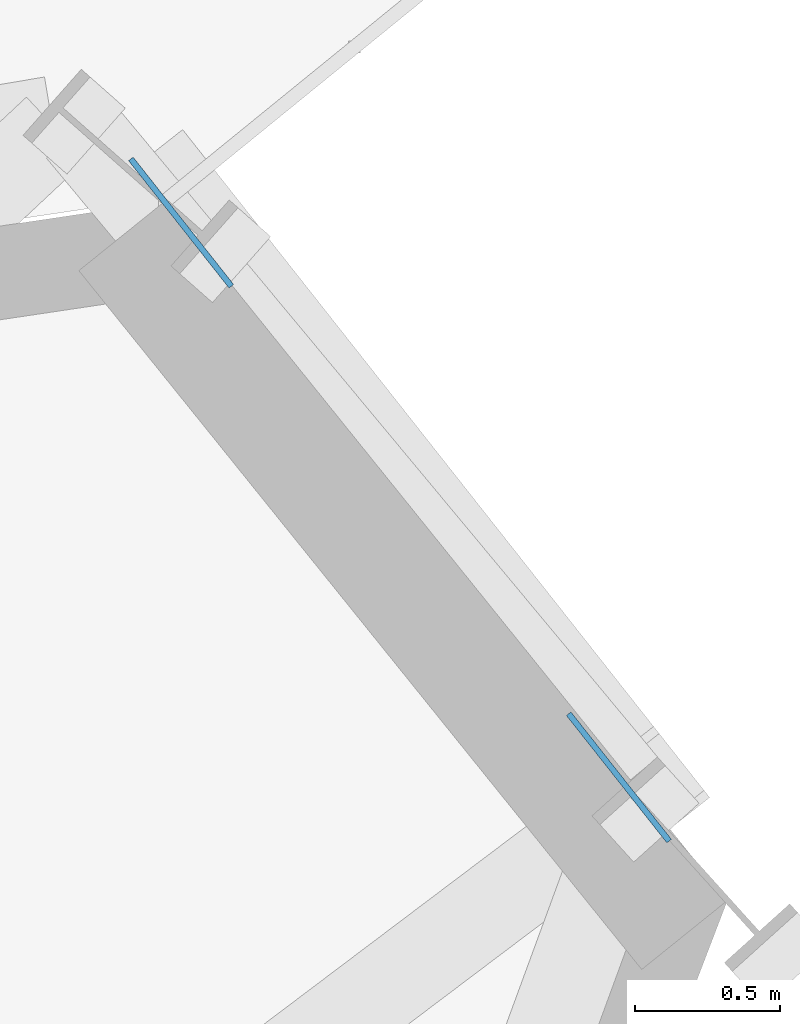
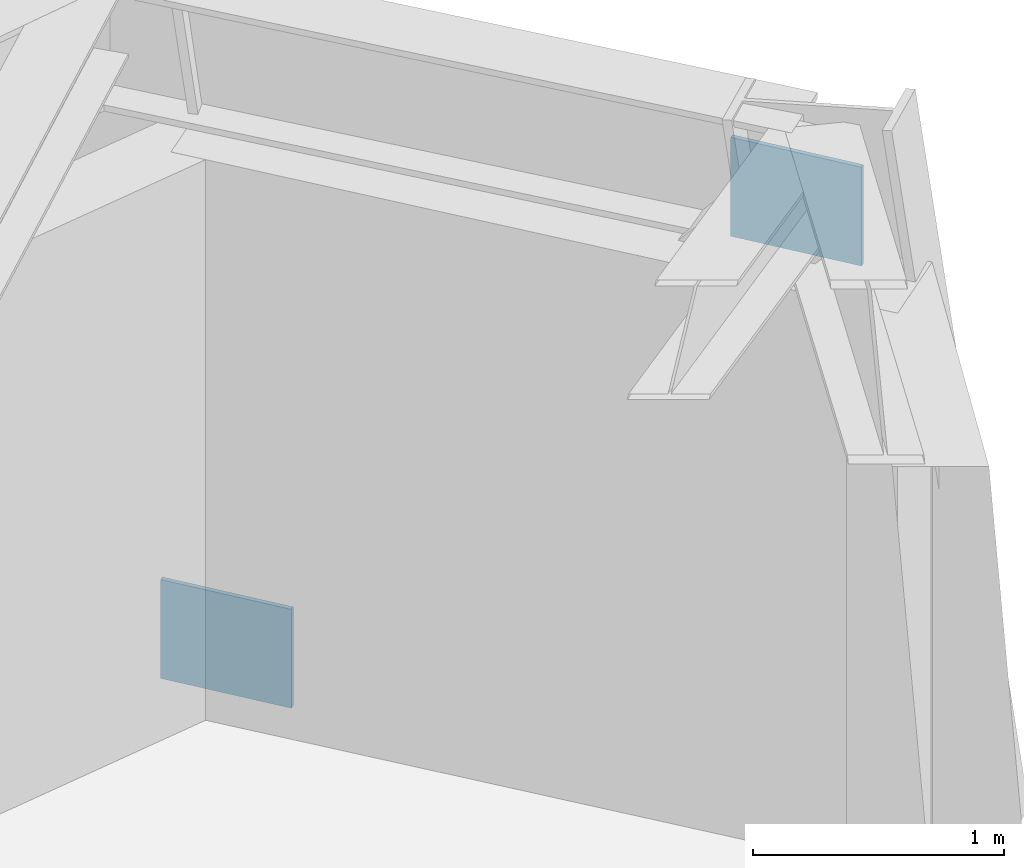
# One storey, part 7 of 13: 2 plates.
"""IFC4 building model written with IfcOpenShell, lengths in metres."""

import ifcopenshell
import ifcopenshell.guid

model = None  # the IFC model being written
_history = None  # IfcOwnerHistory: only IFC2X3 demands one
_inside = {}  # id of a spatial element -> (the spatial element, [elements in it])
_under = {}  # id of a project, library or spatial element -> (it, [spatial elements below it])
_declared = {}  # id of a project -> (the project, [libraries it declares])
_typed = {}  # id of a type object -> (the type object, [elements of that type])
_made_of = {}  # id of a material, layer set ... -> (it, [elements and type objects made of it])


def new_model(schema):
    """Start an empty IFC model of exactly this schema.

    Asked for "IFC4X3", IfcOpenShell would pick the latest addendum, in which some entities
    have other attributes; the version numbers below select the first issue.
    IFC2X3 requires an IfcOwnerHistory on every rooted entity: one is made here for all.
    """
    global model, _history
    if schema == "IFC4X3":
        model = ifcopenshell.file(schema_version=(4, 3, 0, 0))
    else:
        model = ifcopenshell.file(schema=schema)
    _inside.clear()
    _under.clear()
    _declared.clear()
    _typed.clear()
    _made_of.clear()
    _history = None
    if model.schema == "IFC2X3":
        org = make("IfcOrganization", Name="unknown")
        user = make(
            "IfcPersonAndOrganization",
            ThePerson=make("IfcPerson", FamilyName="unknown"),
            TheOrganization=org,
        )
        app = make(
            "IfcApplication",
            ApplicationDeveloper=org,
            Version="unknown",
            ApplicationFullName="unknown",
            ApplicationIdentifier="unknown",
        )
        _history = make(
            "IfcOwnerHistory",
            OwningUser=user,
            OwningApplication=app,
            ChangeAction="ADDED",
            CreationDate=0,
        )
    return model


def make(cls, **values):
    """One entity of the class cls with the attributes given. An attribute that is None is left unset."""
    return model.create_entity(
        cls, **{name: value for name, value in values.items() if value is not None}
    )


def rooted(cls, **values):
    """An entity with a GlobalId (a new one), such as an element, a storey or a relation."""
    return make(cls, GlobalId=ifcopenshell.guid.new(), OwnerHistory=_history, **values)


def si_unit(unit_type, name, prefix=None):
    """IfcSIUnit, for example si_unit("LENGTHUNIT", "METRE", prefix="MILLI")."""
    return make("IfcSIUnit", UnitType=unit_type, Prefix=prefix, Name=name)


def assignment(units):
    """IfcUnitAssignment: the units of a project."""
    return None if units is None else make("IfcUnitAssignment", Units=units)


def point(xyz):
    """IfcCartesianPoint."""
    return None if xyz is None else make("IfcCartesianPoint", Coordinates=xyz)


def direction(xyz):
    """IfcDirection."""
    return None if xyz is None else make("IfcDirection", DirectionRatios=xyz)


def frame(location, z_axis=None, x_axis=None):
    """IfcAxis2Placement3D, a coordinate frame: its origin and axes. An axis left out is left unset."""
    return make(
        "IfcAxis2Placement3D",
        Location=point(location),
        Axis=direction(z_axis),
        RefDirection=direction(x_axis),
    )


def frame_2d(location, x_axis=None):
    """IfcAxis2Placement2D, a coordinate frame in the plane: its origin and x axis."""
    return make(
        "IfcAxis2Placement2D", Location=point(location), RefDirection=direction(x_axis)
    )


def origin():
    """The frame at (0, 0, 0) with its axes left unset."""
    return frame((0.0, 0.0, 0.0))


def origin_2d():
    """The frame at (0, 0) in the plane with its x axis left unset."""
    return frame_2d((0.0, 0.0))


def place(relative_to, where):
    """IfcLocalPlacement: puts the frame where relative to a parent placement (None: the world)."""
    return make(
        "IfcLocalPlacement", PlacementRelTo=relative_to, RelativePlacement=where
    )


def context(
    kind, dimensions, precision=None, world=None, true_north=None, identifier=None
):
    """IfcGeometricRepresentationContext, for example the 3D "Model" context."""
    return make(
        "IfcGeometricRepresentationContext",
        ContextIdentifier=identifier,
        ContextType=kind,
        CoordinateSpaceDimension=dimensions,
        Precision=precision,
        WorldCoordinateSystem=world,
        TrueNorth=true_north,
    )


def subcontext(parent, identifier, kind, view, scale=None):
    """IfcGeometricRepresentationSubContext, for example "Body" below "Model"."""
    return make(
        "IfcGeometricRepresentationSubContext",
        ContextIdentifier=identifier,
        ContextType=kind,
        ParentContext=parent,
        TargetScale=scale,
        TargetView=view,
    )


def project(units=None, contexts=None):
    """IfcProject with its units and contexts."""
    return rooted(
        "IfcProject",
        Name="project",
        RepresentationContexts=contexts,
        UnitsInContext=assignment(units),
    )


def spatial(cls, under=None, at=None, **own):
    """A site, building, storey or space (cls), placed at a placement, below another one or the project."""
    s = rooted(cls, ObjectPlacement=at, **own)
    if under is not None:
        _under.setdefault(under.id(), (under, []))[1].append(s)
    return s


def profile(cls, at=None, kind="AREA", **sizes):
    """A parametric profile (cls). Its sizes go by their IFC names, for example OverallWidth=200.0."""
    return make(cls, ProfileType=kind, Position=at, **sizes)


def rectangle(**sizes):
    """IfcRectangleProfileDef."""
    return profile("IfcRectangleProfileDef", **sizes)


def extrude(swept, where, along, depth):
    """IfcExtrudedAreaSolid: the profile swept, set in the frame where, extruded along a direction by depth."""
    return make(
        "IfcExtrudedAreaSolid",
        SweptArea=swept,
        Position=where,
        ExtrudedDirection=direction(along),
        Depth=depth,
    )


def shape(context_of_items, identifier, shape_type, items):
    """IfcShapeRepresentation: the items that make up one representation, for example the "Body"."""
    return make(
        "IfcShapeRepresentation",
        ContextOfItems=context_of_items,
        RepresentationIdentifier=identifier,
        RepresentationType=shape_type,
        Items=items,
    )


def source(mapping_origin, context_of_items, identifier, shape_type, items):
    """IfcRepresentationMap: a shape defined once, which mapped items show again and again."""
    return make(
        "IfcRepresentationMap",
        MappingOrigin=mapping_origin,
        MappedRepresentation=shape(context_of_items, identifier, shape_type, items),
    )


def transform(
    local_origin,
    x_axis=None,
    y_axis=None,
    z_axis=None,
    scale=None,
    scale2=None,
    scale3=None,
    uniform=True,
):
    """IfcCartesianTransformationOperator3D, or its non-uniform kind. x_axis, y_axis, z_axis: its Axis1, 2, 3."""
    if uniform:
        return make(
            "IfcCartesianTransformationOperator3D",
            Axis1=direction(x_axis),
            Axis2=direction(y_axis),
            LocalOrigin=point(local_origin),
            Scale=scale,
            Axis3=direction(z_axis),
        )
    return make(
        "IfcCartesianTransformationOperator3DnonUniform",
        Axis1=direction(x_axis),
        Axis2=direction(y_axis),
        LocalOrigin=point(local_origin),
        Scale=scale,
        Axis3=direction(z_axis),
        Scale2=scale2,
        Scale3=scale3,
    )


def mapped(mapping_source, mapping_target):
    """IfcMappedItem: shows the shape of a source again, moved by a transform."""
    return make(
        "IfcMappedItem", MappingSource=mapping_source, MappingTarget=mapping_target
    )


def material(Name=None, Category=None):
    """IfcMaterial."""
    return make("IfcMaterial", Name=Name, Category=Category)


def made_of(thing, what):
    """Note that an element or type object is made of a material, layer set ...; save() writes the relation."""
    if what is not None:
        _made_of.setdefault(what.id(), (what, []))[1].append(thing)
    return thing


def type_object(cls, material=None, **own):
    """A type object (cls), such as IfcWallType, which elements share."""
    return made_of(rooted(cls, **own), material)


def element(
    cls,
    number,
    at=None,
    inside=None,
    cuts=None,
    type_object=None,
    material=None,
    context=None,
    identifier="Body",
    shape_type=None,
    held_by="IfcProductDefinitionShape",
    body=None,
    shapes=None,
    **own,
):
    """One element of the class cls, such as IfcWall. Its Tag is "e" and its number.

    at: its placement. inside: the storey or other place that contains it. cuts: it is an
    opening in that element (IfcRelVoidsElement). A single representation is given by context,
    identifier, shape_type and body (its items); several are given by shapes. held_by: the class
    of the entity that holds the representations. save() writes the other relations.
    """
    e = rooted(cls, Tag="e%d" % number, ObjectPlacement=at, **own)
    if body is not None:
        shapes = [shape(context, identifier, shape_type, body)]
    if shapes is not None:
        e.Representation = make(held_by, Representations=shapes)
    if inside is not None:
        _inside.setdefault(inside.id(), (inside, []))[1].append(e)
    if cuts is not None:
        rooted(
            "IfcRelVoidsElement", RelatingBuildingElement=cuts, RelatedOpeningElement=e
        )
    if type_object is not None:
        _typed.setdefault(type_object.id(), (type_object, []))[1].append(e)
    return made_of(e, material)


def aggregate(whole, parts):
    """IfcRelAggregates: a whole, such as a stair, and the parts it consists of."""
    return rooted("IfcRelAggregates", RelatingObject=whole, RelatedObjects=parts)


def save(model, path):
    """Write the relations noted so far, then the file.

    IfcRelAggregates (storeys below a building ...), IfcRelContainedInSpatialStructure (elements
    in a storey), IfcRelDefinesByType, IfcRelAssociatesMaterial and IfcRelDeclares: one each for
    every whole, place, type object, material and project.
    """
    for whole, parts in _under.values():
        aggregate(whole, parts)
    for where, things in _inside.values():
        rooted(
            "IfcRelContainedInSpatialStructure",
            RelatedElements=things,
            RelatingStructure=where,
        )
    for kind, things in _typed.values():
        rooted("IfcRelDefinesByType", RelatedObjects=things, RelatingType=kind)
    for what, things in _made_of.values():
        rooted("IfcRelAssociatesMaterial", RelatedObjects=things, RelatingMaterial=what)
    for by, libraries in _declared.values():
        rooted("IfcRelDeclares", RelatingContext=by, RelatedDefinitions=libraries)
    model.write(path)


model = new_model("IFC4")

# Units and contexts
model_context = context("Model", 3, precision=1e-05, world=origin(), true_north=direction((0.0, 1.0)))
body_context = subcontext(model_context, "Body", "Model", "MODEL_VIEW")
ifc_project = project(units=[si_unit("LENGTHUNIT", "METRE"), si_unit("AREAUNIT", "SQUARE_METRE"), si_unit("VOLUMEUNIT", "CUBIC_METRE"), si_unit("PLANEANGLEUNIT", "RADIAN"), si_unit("MASSUNIT", "GRAM", prefix="KILO")], contexts=[model_context])

# Site, building, storey
site_placement = place(None, origin())
site = spatial("IfcSite", under=ifc_project, at=site_placement, CompositionType="ELEMENT")
building_placement = place(site_placement, origin())
building = spatial("IfcBuilding", under=site, at=building_placement, Name="Olszyna Solenne Hotel", CompositionType="ELEMENT")
storey_placement = place(building_placement, frame((0.0, 0.0, 192.75)))
storey = spatial("IfcBuildingStorey", under=building, at=storey_placement, Name="L51", CompositionType="ELEMENT", Elevation=192.75)

# Plates
ifc_material = material(Name="Steel S355J2", Category="steel")
plate_type = type_object("IfcPlateType", Name="GP-ND2", PredefinedType="USERDEFINED", material=ifc_material)
shared_shape = source(origin(), body_context, "Body", "SweptSolid", [
    extrude(rectangle(XDim=0.56005859375, YDim=0.02001953125, at=origin_2d()), origin(), (0.0, 0.0, 1.0), 0.47998046875),
])
for number, where, z_axis, x_axis, name in (
    (1, (59.572998046875, 46.045166015625, -0.124755859375), (0.0, 0.0, 1.0), (0.61950505541, -0.784992666412, 0.0), "Brace end connection gusset plate GP-ND2 EP-BR-L51-1-1"),
    (2, (61.085205078125, 44.12890625, 2.65478515625), (0.0, 0.0, 1.0), (0.61950505541, -0.784992666412, 0.0), "Brace end connection gusset plate GP-ND2 EP-BR-L51-1-2"),
):
    element("IfcPlate", number, at=place(storey_placement, frame(where, z_axis=z_axis, x_axis=x_axis)), inside=storey, type_object=plate_type, Name=name, ObjectType="GUSSET_PLATE", PredefinedType="USERDEFINED", context=body_context, shape_type="MappedRepresentation", body=[
        mapped(shared_shape, transform((0.0, 0.0, 0.0), x_axis=(1.0, 0.0, 0.0), y_axis=(0.0, 1.0, 0.0), z_axis=(0.0, 0.0, 1.0), scale=1.0)),
    ])

save(model, "model.ifc")
